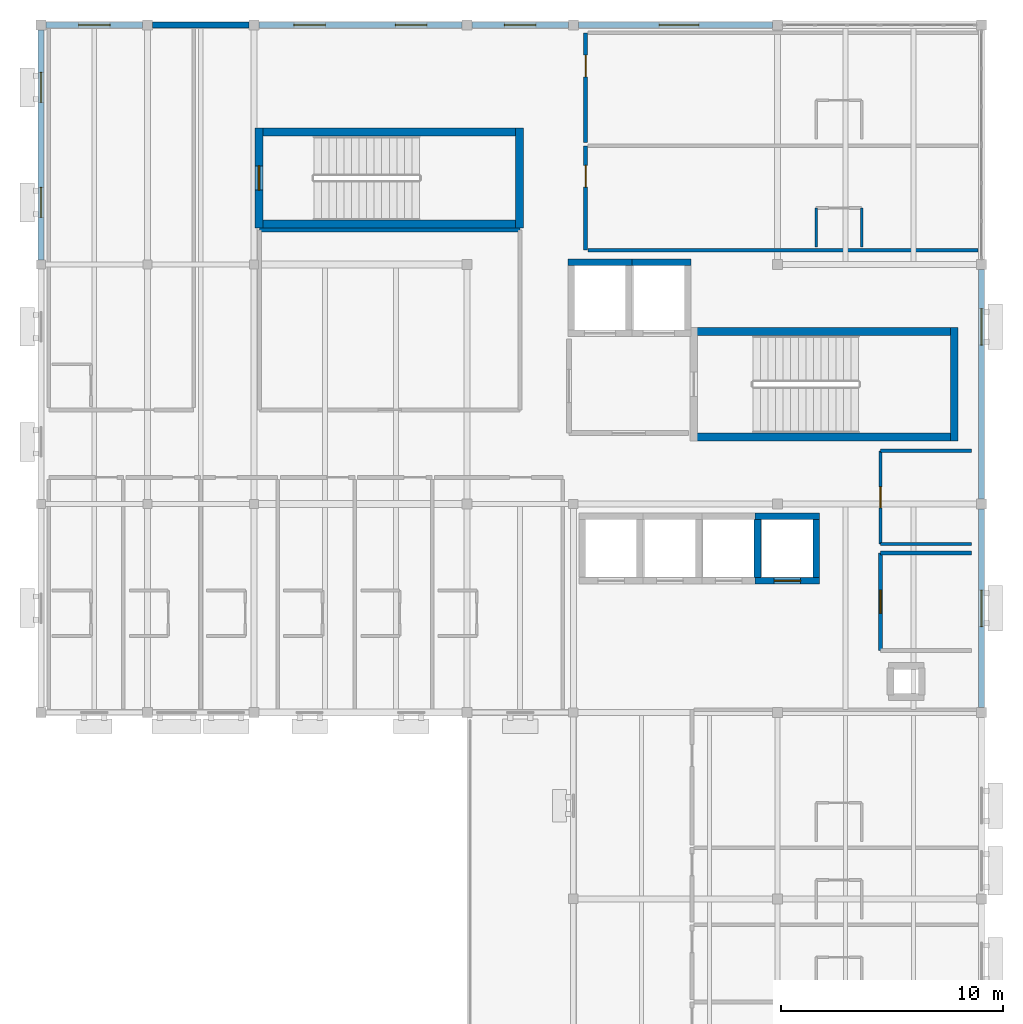
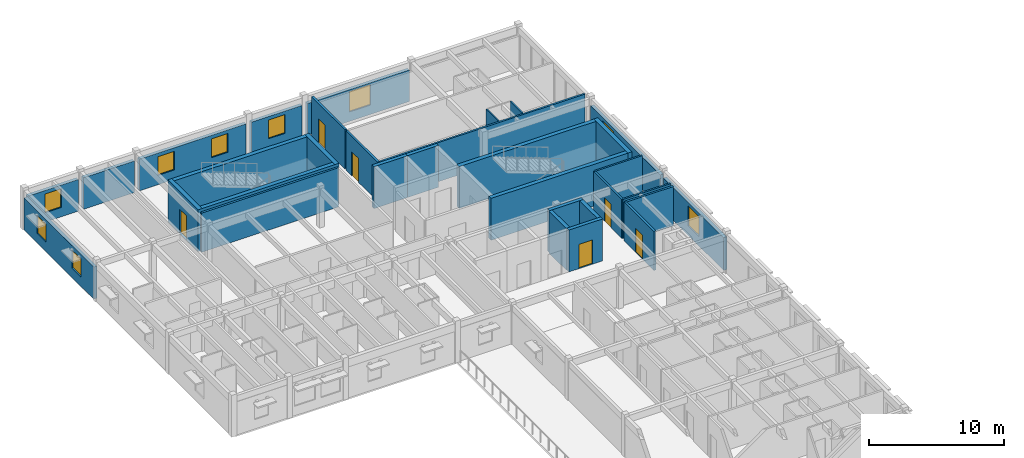
# One storey, part 10 of 18: 32 walls, 9 windows, 6 doors, 15 openings.
"""IFC4 building model written with IfcOpenShell, lengths in metres."""

from ifc_helpers import new_model, si_unit, direction, frame, frame_2d, origin, place, context, subcontext, project, spatial, rectangle, extrude, material, layer, layer_set, type_object, element, fill, save


model = new_model("IFC4")

# Units and contexts
model_context = context("Model", 3, precision=1e-05, world=origin(), true_north=direction((0.0, 1.0)))
body_context = subcontext(model_context, "Body", "Model", "MODEL_VIEW")
ifc_project = project(units=[si_unit("LENGTHUNIT", "METRE"), si_unit("AREAUNIT", "SQUARE_METRE"), si_unit("VOLUMEUNIT", "CUBIC_METRE"), si_unit("PLANEANGLEUNIT", "RADIAN"), si_unit("MASSUNIT", "GRAM", prefix="KILO")], contexts=[model_context])

# Site, building, storey
site_placement = place(None, origin())
site = spatial("IfcSite", under=ifc_project, at=site_placement, CompositionType="ELEMENT")
building_placement = place(site_placement, origin())
building = spatial("IfcBuilding", under=site, at=building_placement, Name="Veldera Park Congress Hotel", CompositionType="ELEMENT")
storey_placement = place(building_placement, frame((0.0, 0.0, 31.39990234375)))
storey = spatial("IfcBuildingStorey", under=building, at=storey_placement, Name="L07", CompositionType="ELEMENT", Elevation=31.39990234375)

# Wall, opening, window
ifc_material_1 = material(Name="Cross-laminated timber CLT V2M1.1", Category="wood")
ifc_layer_1 = layer(ifc_material_1, 0.280029296875)
ifc_layer_set_1 = layer_set([ifc_layer_1], Name="Cross-laminated timber CLT V2M1.1")
wall_type_1 = type_object("IfcWallType", Name="EW-CLT280", PredefinedType="STANDARD", material=ifc_layer_set_1)
wall_1_placement = place(storey_placement, frame((84.0, 27.222900390625, 0.0), z_axis=(0.0, 0.0, 1.0), x_axis=(0.0, 1.0, 0.0)))
wall_1 = element("IfcWall", 1, at=wall_1_placement, inside=storey, type_object=wall_type_1, Name="L07 Exterior Wall EW3-L07-0349", PredefinedType="STANDARD", context=body_context, shape_type="SweptSolid", body=[
    extrude(rectangle(XDim=8.9541015625, YDim=0.280029296875, at=frame_2d((4.47705078125, 0.0))), origin(), (0.0, 0.0, 1.0), 2.97021484375),
])
opening_1_placement = place(wall_1_placement, frame((3.652099609375, 0.0, 0.85009765625)))
opening_1 = element("IfcOpeningElement", 2, at=opening_1_placement, cuts=wall_1, Name="Opening WIN-1650", PredefinedType="OPENING", context=body_context, shape_type="SweptSolid", body=[
    extrude(rectangle(XDim=1.64990234375, YDim=1.800048828125, at=frame_2d((0.824951171875, 0.89990234375))), frame((0.0, 0.152099609375, 0.0), z_axis=(0.0, -1.0, 0.0), x_axis=(1.0, 0.0, 0.0)), (0.0, 0.0, 1.0), 0.303955078125),
])
ifc_material_2 = material(Name="Low-E Triple Insulating Glass Unit (SHGC 0.22)", Category="glass")
window_type_1 = type_object("IfcWindowType", Name="WIN-1650", PartitioningType="SINGLE_PANEL", PredefinedType="WINDOW", material=ifc_material_2)
window_1_placement = place(opening_1_placement, origin())
window_1 = element("IfcWindow", 3, at=window_1_placement, inside=storey, type_object=window_type_1, Name="L07 Window WIN-1650 262", OverallHeight=1.800048828125, OverallWidth=1.64990234375, PartitioningType="SINGLE_PANEL", PredefinedType="WINDOW", context=body_context, shape_type="SweptSolid", body=[
    extrude(rectangle(XDim=1.64990234375, YDim=1.800048828125, at=frame_2d((0.824951171875, 0.89990234375))), frame((0.0, 0.030029296875, 0.0), z_axis=(0.0, -1.0, 0.0), x_axis=(1.0, 0.0, 0.0)), (0.0, 0.0, 1.0), 0.06005859375),
])
fill(opening_1, window_1)

wall_2_placement = place(storey_placement, frame((84.0, 36.623046875, 0.0), z_axis=(0.0, 0.0, 1.0), x_axis=(0.0, 1.0, 0.0)))
wall_2 = element("IfcWall", 4, at=wall_2_placement, inside=storey, type_object=wall_type_1, Name="L07 Exterior Wall EW3-L07-0350", PredefinedType="STANDARD", context=body_context, shape_type="SweptSolid", body=[
    extrude(rectangle(XDim=10.35400390625, YDim=0.280029296875, at=frame_2d((5.177001953125, 0.0))), origin(), (0.0, 0.0, 1.0), 2.97021484375),
])
opening_2_placement = place(wall_2_placement, frame((6.9404296875, 0.0, 0.85009765625)))
opening_2 = element("IfcOpeningElement", 5, at=opening_2_placement, cuts=wall_2, Name="Opening WIN-1650", PredefinedType="OPENING", context=body_context, shape_type="SweptSolid", body=[
    extrude(rectangle(XDim=1.64990234375, YDim=1.800048828125, at=frame_2d((0.824951171875, 0.89990234375))), frame((0.0, 0.152099609375, 0.0), z_axis=(0.0, -1.0, 0.0), x_axis=(1.0, 0.0, 0.0)), (0.0, 0.0, 1.0), 0.303955078125),
])
window_2_placement = place(opening_2_placement, origin())
window_2 = element("IfcWindow", 6, at=window_2_placement, inside=storey, type_object=window_type_1, Name="L07 Window WIN-1650 263", OverallHeight=1.800048828125, OverallWidth=1.64990234375, PartitioningType="SINGLE_PANEL", PredefinedType="WINDOW", context=body_context, shape_type="SweptSolid", body=[
    extrude(rectangle(XDim=1.64990234375, YDim=1.800048828125, at=frame_2d((0.824951171875, 0.89990234375))), frame((0.0, 0.030029296875, 0.0), z_axis=(0.0, -1.0, 0.0), x_axis=(1.0, 0.0, 0.0)), (0.0, 0.0, 1.0), 0.06005859375),
])
fill(opening_2, window_2)

wall_3_placement = place(storey_placement, frame((74.576904296875, 58.0, 0.0), z_axis=(0.0, 0.0, 1.0), x_axis=(-1.0, 0.0, 0.0)))
wall_3 = element("IfcWall", 7, at=wall_3_placement, inside=storey, type_object=wall_type_1, Name="L07 Exterior Wall EW3-L07-0351", PredefinedType="STANDARD", context=body_context, shape_type="SweptSolid", body=[
    extrude(rectangle(XDim=8.75390625, YDim=0.280029296875, at=frame_2d((4.376953125, 0.0))), origin(), (0.0, 0.0, 1.0), 2.8701171875),
])
opening_3_placement = place(wall_3_placement, frame((3.3134765625, 0.0, 0.85009765625)))
opening_3 = element("IfcOpeningElement", 8, at=opening_3_placement, cuts=wall_3, Name="Opening WIN-1800", PredefinedType="OPENING", context=body_context, shape_type="SweptSolid", body=[
    extrude(rectangle(XDim=1.800048828125, YDim=1.85009765625, at=frame_2d((0.89990234375, 0.925048828125))), frame((0.0, 0.152099609375, 0.0), z_axis=(0.0, -1.0, 0.0), x_axis=(1.0, 0.0, 0.0)), (0.0, 0.0, 1.0), 0.303955078125),
])
window_type_2 = type_object("IfcWindowType", Name="WIN-1800", PartitioningType="SINGLE_PANEL", PredefinedType="WINDOW", material=ifc_material_2)
window_3_placement = place(opening_3_placement, origin())
window_3 = element("IfcWindow", 9, at=window_3_placement, inside=storey, type_object=window_type_2, Name="L07 Window WIN-1800 551", OverallHeight=1.85009765625, OverallWidth=1.800048828125, PartitioningType="SINGLE_PANEL", PredefinedType="WINDOW", context=body_context, shape_type="SweptSolid", body=[
    extrude(rectangle(XDim=1.800048828125, YDim=1.85009765625, at=frame_2d((0.89990234375, 0.925048828125))), frame((0.0, 0.030029296875, 0.0), z_axis=(0.0, -1.0, 0.0), x_axis=(1.0, 0.0, 0.0)), (0.0, 0.0, 1.0), 0.06005859375),
])
fill(opening_3, window_3)

wall_4_placement = place(storey_placement, frame((65.376953125, 58.0, 0.0), z_axis=(0.0, 0.0, 1.0), x_axis=(-1.0, 0.0, 0.0)))
wall_4 = element("IfcWall", 10, at=wall_4_placement, inside=storey, type_object=wall_type_1, Name="L07 Exterior Wall EW3-L07-0352", PredefinedType="STANDARD", context=body_context, shape_type="SweptSolid", body=[
    extrude(rectangle(XDim=4.35400390625, YDim=0.280029296875, at=frame_2d((2.177001953125, 0.0))), origin(), (0.0, 0.0, 1.0), 2.8701171875),
])
opening_4_placement = place(wall_4_placement, frame((1.467041015625, 0.0, 0.85009765625)))
opening_4 = element("IfcOpeningElement", 11, at=opening_4_placement, cuts=wall_4, Name="Opening WIN-1420", PredefinedType="OPENING", context=body_context, shape_type="SweptSolid", body=[
    extrude(rectangle(XDim=1.419921875, YDim=1.699951171875, at=frame_2d((0.7099609375, 0.85009765625))), frame((0.0, 0.152099609375, 0.0), z_axis=(0.0, -1.0, 0.0), x_axis=(1.0, 0.0, 0.0)), (0.0, 0.0, 1.0), 0.303955078125),
])
window_type_3 = type_object("IfcWindowType", Name="WIN-1420", PartitioningType="SINGLE_PANEL", PredefinedType="WINDOW", material=ifc_material_2)
window_4_placement = place(opening_4_placement, origin())
window_4 = element("IfcWindow", 12, at=window_4_placement, inside=storey, type_object=window_type_3, Name="L07 Window WIN-1420 264", OverallHeight=1.699951171875, OverallWidth=1.419921875, PartitioningType="SINGLE_PANEL", PredefinedType="WINDOW", context=body_context, shape_type="SweptSolid", body=[
    extrude(rectangle(XDim=1.419921875, YDim=1.699951171875, at=frame_2d((0.7099609375, 0.85009765625))), frame((0.0, 0.030029296875, 0.0), z_axis=(0.0, -1.0, 0.0), x_axis=(1.0, 0.0, 0.0)), (0.0, 0.0, 1.0), 0.06005859375),
])
fill(opening_4, window_4)

# Wall, openings, windows
wall_5_placement = place(storey_placement, frame((60.576904296875, 58.0, 0.0), z_axis=(0.0, 0.0, 1.0), x_axis=(-1.0, 0.0, 0.0)))
wall_5 = element("IfcWall", 13, at=wall_5_placement, inside=storey, type_object=wall_type_1, Name="L07 Exterior Wall EW3-L07-0353", PredefinedType="STANDARD", context=body_context, shape_type="SweptSolid", body=[
    extrude(rectangle(XDim=9.15380859375, YDim=0.280029296875, at=frame_2d((4.576904296875, 0.0))), origin(), (0.0, 0.0, 1.0), 2.8701171875),
])
opening_5_placement = place(wall_5_placement, frame((1.57861328125, 0.0, 0.85009765625)))
opening_5 = element("IfcOpeningElement", 14, at=opening_5_placement, cuts=wall_5, Name="Opening WIN-1420", PredefinedType="OPENING", context=body_context, shape_type="SweptSolid", body=[
    extrude(rectangle(XDim=1.419921875, YDim=1.699951171875, at=frame_2d((0.7099609375, 0.85009765625))), frame((0.0, 0.152099609375, 0.0), z_axis=(0.0, -1.0, 0.0), x_axis=(1.0, 0.0, 0.0)), (0.0, 0.0, 1.0), 0.303955078125),
])
opening_6_placement = place(wall_5_placement, frame((6.155517578125, 0.0, 0.85009765625)))
opening_6 = element("IfcOpeningElement", 15, at=opening_6_placement, cuts=wall_5, Name="Opening WIN-1420", PredefinedType="OPENING", context=body_context, shape_type="SweptSolid", body=[
    extrude(rectangle(XDim=1.419921875, YDim=1.699951171875, at=frame_2d((0.7099609375, 0.85009765625))), frame((0.0, 0.152099609375, 0.0), z_axis=(0.0, -1.0, 0.0), x_axis=(1.0, 0.0, 0.0)), (0.0, 0.0, 1.0), 0.303955078125),
])
window_5_placement = place(opening_5_placement, origin())
window_5 = element("IfcWindow", 16, at=window_5_placement, inside=storey, type_object=window_type_3, Name="L07 Window WIN-1420 265", OverallHeight=1.699951171875, OverallWidth=1.419921875, PartitioningType="SINGLE_PANEL", PredefinedType="WINDOW", context=body_context, shape_type="SweptSolid", body=[
    extrude(rectangle(XDim=1.419921875, YDim=1.699951171875, at=frame_2d((0.7099609375, 0.85009765625))), frame((0.0, 0.030029296875, 0.0), z_axis=(0.0, -1.0, 0.0), x_axis=(1.0, 0.0, 0.0)), (0.0, 0.0, 1.0), 0.06005859375),
])
fill(opening_5, window_5)
window_6_placement = place(opening_6_placement, origin())
window_6 = element("IfcWindow", 17, at=window_6_placement, inside=storey, type_object=window_type_3, Name="L07 Window WIN-1420 266", OverallHeight=1.699951171875, OverallWidth=1.419921875, PartitioningType="SINGLE_PANEL", PredefinedType="WINDOW", context=body_context, shape_type="SweptSolid", body=[
    extrude(rectangle(XDim=1.419921875, YDim=1.699951171875, at=frame_2d((0.7099609375, 0.85009765625))), frame((0.0, 0.030029296875, 0.0), z_axis=(0.0, -1.0, 0.0), x_axis=(1.0, 0.0, 0.0)), (0.0, 0.0, 1.0), 0.06005859375),
])
fill(opening_6, window_6)

# Wall
wall_6_placement = place(storey_placement, frame((50.97705078125, 58.0, 0.0), z_axis=(0.0, 0.0, 1.0), x_axis=(-1.0, 0.0, 0.0)))
element("IfcWall", 18, at=wall_6_placement, inside=storey, type_object=wall_type_1, Name="L07 Exterior Wall EW3-L07-0354", PredefinedType="STANDARD", context=body_context, shape_type="SweptSolid", body=[
    extrude(rectangle(XDim=4.35400390625, YDim=0.280029296875, at=frame_2d((2.177001953125, 0.0))), origin(), (0.0, 0.0, 1.0), 2.8701171875),
])

# Wall, opening, window
wall_7_placement = place(storey_placement, frame((46.177001953125, 58.0, 0.0), z_axis=(0.0, 0.0, 1.0), x_axis=(-1.0, 0.0, 0.0)))
wall_7 = element("IfcWall", 19, at=wall_7_placement, inside=storey, type_object=wall_type_1, Name="L07 Exterior Wall EW3-L07-0355", PredefinedType="STANDARD", context=body_context, shape_type="SweptSolid", body=[
    extrude(rectangle(XDim=4.35400390625, YDim=0.280029296875, at=frame_2d((2.177001953125, 0.0))), origin(), (0.0, 0.0, 1.0), 2.8701171875),
])
opening_7_placement = place(wall_7_placement, frame((1.467041015625, 0.0, 0.85009765625)))
opening_7 = element("IfcOpeningElement", 20, at=opening_7_placement, cuts=wall_7, Name="Opening WIN-1420", PredefinedType="OPENING", context=body_context, shape_type="SweptSolid", body=[
    extrude(rectangle(XDim=1.419921875, YDim=1.699951171875, at=frame_2d((0.7099609375, 0.85009765625))), frame((0.0, 0.152099609375, 0.0), z_axis=(0.0, -1.0, 0.0), x_axis=(1.0, 0.0, 0.0)), (0.0, 0.0, 1.0), 0.303955078125),
])
window_7_placement = place(opening_7_placement, origin())
window_7 = element("IfcWindow", 21, at=window_7_placement, inside=storey, type_object=window_type_3, Name="L07 Window WIN-1420 267", OverallHeight=1.699951171875, OverallWidth=1.419921875, PartitioningType="SINGLE_PANEL", PredefinedType="WINDOW", context=body_context, shape_type="SweptSolid", body=[
    extrude(rectangle(XDim=1.419921875, YDim=1.699951171875, at=frame_2d((0.7099609375, 0.85009765625))), frame((0.0, 0.030029296875, 0.0), z_axis=(0.0, -1.0, 0.0), x_axis=(1.0, 0.0, 0.0)), (0.0, 0.0, 1.0), 0.06005859375),
])
fill(opening_7, window_7)

# Wall, openings, windows
wall_8_placement = place(storey_placement, frame((41.60009765625, 57.777099609375, 0.0), z_axis=(0.0, 0.0, 1.0), x_axis=(0.0, -1.0, 0.0)))
wall_8 = element("IfcWall", 22, at=wall_8_placement, inside=storey, type_object=wall_type_1, Name="L07 Exterior Wall EW3-L07-0356", PredefinedType="STANDARD", context=body_context, shape_type="SweptSolid", body=[
    extrude(rectangle(XDim=10.369140625, YDim=0.280029296875, at=frame_2d((5.1845703125, 0.0))), origin(), (0.0, 0.0, 1.0), 2.91015625),
])
opening_8_placement = place(wall_8_placement, frame((1.917236328125, 0.0, 0.85009765625)))
opening_8 = element("IfcOpeningElement", 23, at=opening_8_placement, cuts=wall_8, Name="Opening WIN-1350", PredefinedType="OPENING", context=body_context, shape_type="SweptSolid", body=[
    extrude(rectangle(XDim=1.35009765625, YDim=1.64990234375, at=frame_2d((0.675048828125, 0.824951171875))), frame((0.0, 0.152099609375, 0.0), z_axis=(0.0, -1.0, 0.0), x_axis=(1.0, 0.0, 0.0)), (0.0, 0.0, 1.0), 0.303955078125),
])
opening_9_placement = place(wall_8_placement, frame((7.101806640625, 0.0, 0.85009765625)))
opening_9 = element("IfcOpeningElement", 24, at=opening_9_placement, cuts=wall_8, Name="Opening WIN-1350", PredefinedType="OPENING", context=body_context, shape_type="SweptSolid", body=[
    extrude(rectangle(XDim=1.35009765625, YDim=1.64990234375, at=frame_2d((0.675048828125, 0.824951171875))), frame((0.0, 0.152099609375, 0.0), z_axis=(0.0, -1.0, 0.0), x_axis=(1.0, 0.0, 0.0)), (0.0, 0.0, 1.0), 0.303955078125),
])
window_type_4 = type_object("IfcWindowType", Name="WIN-1350", PartitioningType="SINGLE_PANEL", PredefinedType="WINDOW", material=ifc_material_2)
window_8_placement = place(opening_8_placement, origin())
window_8 = element("IfcWindow", 25, at=window_8_placement, inside=storey, type_object=window_type_4, Name="L07 Window WIN-1350 268", OverallHeight=1.64990234375, OverallWidth=1.35009765625, PartitioningType="SINGLE_PANEL", PredefinedType="WINDOW", context=body_context, shape_type="SweptSolid", body=[
    extrude(rectangle(XDim=1.35009765625, YDim=1.64990234375, at=frame_2d((0.675048828125, 0.824951171875))), frame((0.0, 0.030029296875, 0.0), z_axis=(0.0, -1.0, 0.0), x_axis=(1.0, 0.0, 0.0)), (0.0, 0.0, 1.0), 0.06005859375),
])
fill(opening_8, window_8)
window_9_placement = place(opening_9_placement, origin())
window_9 = element("IfcWindow", 26, at=window_9_placement, inside=storey, type_object=window_type_4, Name="L07 Window WIN-1350 269", OverallHeight=1.64990234375, OverallWidth=1.35009765625, PartitioningType="SINGLE_PANEL", PredefinedType="WINDOW", context=body_context, shape_type="SweptSolid", body=[
    extrude(rectangle(XDim=1.35009765625, YDim=1.64990234375, at=frame_2d((0.675048828125, 0.824951171875))), frame((0.0, 0.030029296875, 0.0), z_axis=(0.0, -1.0, 0.0), x_axis=(1.0, 0.0, 0.0)), (0.0, 0.0, 1.0), 0.06005859375),
])
fill(opening_9, window_9)

# Walls
ifc_material_3 = material(Name="Fire-Rated Gypsum Board on Cold-Formed Steel Studs", Category="steel")
ifc_layer_2 = layer(ifc_material_3, 0.1201171875)
ifc_layer_set_2 = layer_set([ifc_layer_2], Name="Fire-Rated Gypsum Board on Cold-Formed Steel Studs")
wall_type_2 = type_object("IfcWallType", Name="IW-BATH120", PredefinedType="PARTITIONING", material=ifc_layer_set_2)
for number, where, z_axis, x_axis, name in (
    (27, (76.550048828125, 48.0, 0.0), (0.0, 0.0, 1.0), (0.0, 1.0, 0.0), "L07 Partition Wall IW3-L07-01465"),
    (28, (78.60009765625, 48.0, 0.0), (0.0, 0.0, 1.0), (0.0, 1.0, 0.0), "L07 Partition Wall IW3-L07-01466"),
):
    element("IfcWall", number, at=place(storey_placement, frame(where, z_axis=z_axis, x_axis=x_axis)), inside=storey, type_object=wall_type_2, Name=name, PredefinedType="PARTITIONING", context=body_context, shape_type="SweptSolid", body=[
        extrude(rectangle(XDim=1.75, YDim=0.1201171875, at=frame_2d((0.875, 0.0))), origin(), (0.0, 0.0, 1.0), 3.55517578125),
    ])
ifc_layer_3 = layer(ifc_material_3, 0.179931640625)
ifc_layer_set_3 = layer_set([ifc_layer_3], Name="Fire-Rated Gypsum Board on Cold-Formed Steel Studs")
wall_type_3 = type_object("IfcWallType", Name="IW-CORR180", PredefinedType="PARTITIONING", material=ifc_layer_set_3)
wall_9_placement = place(storey_placement, frame((83.550048828125, 34.199951171875, 0.0), z_axis=(0.0, 0.0, 1.0), x_axis=(-1.0, 0.0, 0.0)))
element("IfcWall", 29, at=wall_9_placement, inside=storey, type_object=wall_type_3, Name="L07 Partition Wall IW3-L07-00291", PredefinedType="PARTITIONING", context=body_context, shape_type="SweptSolid", body=[
    extrude(rectangle(XDim=4.10009765625, YDim=0.179931640625, at=frame_2d((2.050048828125, 0.0))), origin(), (0.0, 0.0, 1.0), 3.55517578125),
])

# Wall, opening, door
wall_10_placement = place(storey_placement, frame((79.449951171875, 34.199951171875, 0.0), z_axis=(0.0, 0.0, 1.0), x_axis=(0.0, -1.0, 0.0)))
wall_10 = element("IfcWall", 30, at=wall_10_placement, inside=storey, type_object=wall_type_3, Name="L07 Partition Wall IW3-L07-00292", PredefinedType="PARTITIONING", context=body_context, shape_type="SweptSolid", body=[
    extrude(rectangle(XDim=4.39990234375, YDim=0.179931640625, at=frame_2d((2.199951171875, 0.0))), origin(), (0.0, 0.0, 1.0), 3.55517578125),
])
opening_10_placement = place(wall_10_placement, frame((1.675048828125, 0.0, 0.0)))
opening_10 = element("IfcOpeningElement", 31, at=opening_10_placement, cuts=wall_10, Name="Opening ID-MEET105", PredefinedType="OPENING", context=body_context, shape_type="SweptSolid", body=[
    extrude(rectangle(XDim=1.050048828125, YDim=2.199951171875, at=frame_2d((0.52490234375, 1.10009765625))), frame((0.0, 0.10205078125, 0.0), z_axis=(0.0, -1.0, 0.0), x_axis=(1.0, 0.0, 0.0)), (0.0, 0.0, 1.0), 0.203857421875),
])
ifc_material_4 = material(Name="Solid Core White Oak Architectural Door", Category="wood")
door_type_1 = type_object("IfcDoorType", Name="ID-MEET105", OperationType="NOTDEFINED", PredefinedType="DOOR", material=ifc_material_4)
door_1_placement = place(opening_10_placement, origin())
door_1 = element("IfcDoor", 32, at=door_1_placement, inside=storey, type_object=door_type_1, Name="L07 L07 Housekeeping and Linen Store Door ID3-L07-0108 (DR3-ID3-L07-0108)", OperationType="SINGLE_SWING_LEFT", OverallHeight=2.199951171875, OverallWidth=1.050048828125, PredefinedType="DOOR", context=body_context, shape_type="SweptSolid", body=[
    extrude(rectangle(XDim=1.050048828125, YDim=2.199951171875, at=frame_2d((0.52490234375, 1.10009765625))), frame((0.0, 0.02490234375, 0.0), z_axis=(0.0, -1.0, 0.0), x_axis=(1.0, 0.0, 0.0)), (0.0, 0.0, 1.0), 0.050048828125),
])
fill(opening_10, door_1)

# Wall
wall_11_placement = place(storey_placement, frame((63.199951171875, 48.75, 0.0), z_axis=(0.0, 0.0, 1.0), x_axis=(-1.0, 0.0, 0.0)))
element("IfcWall", 33, at=wall_11_placement, inside=storey, type_object=wall_type_3, Name="L07 Partition Wall IW3-L07-00298", PredefinedType="PARTITIONING", context=body_context, shape_type="SweptSolid", body=[
    extrude(rectangle(XDim=11.75, YDim=0.179931640625, at=frame_2d((5.875, 0.0))), origin(), (0.0, 0.0, 1.0), 3.55517578125),
])

# Wall, opening, door
wall_12_placement = place(storey_placement, frame((66.14990234375, 52.550048828125, 0.0), z_axis=(0.0, 0.0, 1.0), x_axis=(0.0, -1.0, 0.0)))
wall_12 = element("IfcWall", 34, at=wall_12_placement, inside=storey, type_object=wall_type_3, Name="L07 Corridor Wall IW3-L07-01462", PredefinedType="PARTITIONING", context=body_context, shape_type="SweptSolid", body=[
    extrude(rectangle(XDim=4.699951171875, YDim=0.179931640625, at=frame_2d((2.35009765625, 0.0))), origin(), (0.0, 0.0, 1.0), 3.55517578125),
])
opening_11_placement = place(wall_12_placement, frame((0.8798828125, 0.0, 0.0)))
opening_11 = element("IfcOpeningElement", 35, at=opening_11_placement, cuts=wall_12, Name="Opening ID-UNIT098", PredefinedType="OPENING", context=body_context, shape_type="SweptSolid", body=[
    extrude(rectangle(XDim=0.97998046875, YDim=2.179931640625, at=frame_2d((0.489990234375, 1.08984375))), frame((0.0, 0.10205078125, 0.0), z_axis=(0.0, -1.0, 0.0), x_axis=(1.0, 0.0, 0.0)), (0.0, 0.0, 1.0), 0.203857421875),
])
door_type_2 = type_object("IfcDoorType", Name="ID-UNIT098", OperationType="NOTDEFINED", PredefinedType="DOOR", material=ifc_material_4)
door_2_placement = place(opening_11_placement, origin())
door_2 = element("IfcDoor", 36, at=door_2_placement, inside=storey, type_object=door_type_2, Name="L07 Guestroom 234 Entry Door (DR3-UD3-L07-234)", OperationType="SINGLE_SWING_RIGHT", OverallHeight=2.179931640625, OverallWidth=0.97998046875, PredefinedType="DOOR", context=body_context, shape_type="SweptSolid", body=[
    extrude(rectangle(XDim=0.97998046875, YDim=2.179931640625, at=frame_2d((0.489990234375, 1.08984375))), frame((0.0, 0.02490234375, 0.0), z_axis=(0.0, -1.0, 0.0), x_axis=(1.0, 0.0, 0.0)), (0.0, 0.0, 1.0), 0.050048828125),
])
fill(opening_11, door_2)

wall_13_placement = place(storey_placement, frame((66.14990234375, 57.64990234375, 0.0), z_axis=(0.0, 0.0, 1.0), x_axis=(0.0, -1.0, 0.0)))
wall_13 = element("IfcWall", 37, at=wall_13_placement, inside=storey, type_object=wall_type_3, Name="L07 Corridor Wall IW3-L07-01468", PredefinedType="PARTITIONING", context=body_context, shape_type="SweptSolid", body=[
    extrude(rectangle(XDim=4.949951171875, YDim=0.179931640625, at=frame_2d((2.47509765625, 0.0))), origin(), (0.0, 0.0, 1.0), 3.55517578125),
])
opening_12_placement = place(wall_13_placement, frame((1.0048828125, 0.0, 0.0)))
opening_12 = element("IfcOpeningElement", 38, at=opening_12_placement, cuts=wall_13, Name="Opening ID-UNIT098", PredefinedType="OPENING", context=body_context, shape_type="SweptSolid", body=[
    extrude(rectangle(XDim=0.97998046875, YDim=2.179931640625, at=frame_2d((0.489990234375, 1.08984375))), frame((0.0, 0.10205078125, 0.0), z_axis=(0.0, -1.0, 0.0), x_axis=(1.0, 0.0, 0.0)), (0.0, 0.0, 1.0), 0.203857421875),
])
door_3_placement = place(opening_12_placement, origin())
door_3 = element("IfcDoor", 39, at=door_3_placement, inside=storey, type_object=door_type_2, Name="L07 Guestroom 235 Entry Door (DR3-UD3-L07-235)", OperationType="SINGLE_SWING_RIGHT", OverallHeight=2.179931640625, OverallWidth=0.97998046875, PredefinedType="DOOR", context=body_context, shape_type="SweptSolid", body=[
    extrude(rectangle(XDim=0.97998046875, YDim=2.179931640625, at=frame_2d((0.489990234375, 1.08984375))), frame((0.0, 0.02490234375, 0.0), z_axis=(0.0, -1.0, 0.0), x_axis=(1.0, 0.0, 0.0)), (0.0, 0.0, 1.0), 0.050048828125),
])
fill(opening_12, door_3)

# Walls
ifc_layer_4 = layer(ifc_material_3, 0.14990234375)
ifc_layer_set_4 = layer_set([ifc_layer_4], Name="Fire-Rated Gypsum Board on Cold-Formed Steel Studs")
wall_type_4 = type_object("IfcWallType", Name="IW-PLMB150", PredefinedType="PLUMBINGWALL", material=ifc_layer_set_4)
for number, where, z_axis, x_axis, name in (
    (40, (79.449951171875, 34.60009765625, 0.0), (0.0, 0.0, 1.0), (1.0, 0.0, 0.0), "L07 Partition Wall IW3-L07-00293"),
    (41, (83.550048828125, 38.800048828125, 0.0), (0.0, 0.0, 1.0), (-1.0, 0.0, 0.0), "L07 Partition Wall IW3-L07-00294"),
):
    element("IfcWall", number, at=place(storey_placement, frame(where, z_axis=z_axis, x_axis=x_axis)), inside=storey, type_object=wall_type_4, Name=name, PredefinedType="PLUMBINGWALL", context=body_context, shape_type="SweptSolid", body=[
        extrude(rectangle(XDim=4.10009765625, YDim=0.14990234375, at=frame_2d((2.050048828125, 0.0))), origin(), (0.0, 0.0, 1.0), 3.55517578125),
    ])

# Wall, opening, door
wall_14_placement = place(storey_placement, frame((79.449951171875, 38.800048828125, 0.0), z_axis=(0.0, 0.0, 1.0), x_axis=(0.0, -1.0, 0.0)))
wall_14 = element("IfcWall", 42, at=wall_14_placement, inside=storey, type_object=wall_type_4, Name="L07 Partition Wall IW3-L07-00295", PredefinedType="PLUMBINGWALL", context=body_context, shape_type="SweptSolid", body=[
    extrude(rectangle(XDim=4.199951171875, YDim=0.14990234375, at=frame_2d((2.10009765625, 0.0))), origin(), (0.0, 0.0, 1.0), 3.55517578125),
])
opening_13_placement = place(wall_14_placement, frame((1.625, 0.0, 0.0)))
opening_13 = element("IfcOpeningElement", 43, at=opening_13_placement, cuts=wall_14, Name="Opening ID-WC095", PredefinedType="OPENING", context=body_context, shape_type="SweptSolid", body=[
    extrude(rectangle(XDim=0.949951171875, YDim=2.14990234375, at=frame_2d((0.47509765625, 1.074951171875))), frame((0.0, 0.0869140625, 0.0), z_axis=(0.0, -1.0, 0.0), x_axis=(1.0, 0.0, 0.0)), (0.0, 0.0, 1.0), 0.173828125),
])
door_type_3 = type_object("IfcDoorType", Name="ID-WC095", OperationType="NOTDEFINED", PredefinedType="DOOR", material=ifc_material_4)
door_4_placement = place(opening_13_placement, origin())
door_4 = element("IfcDoor", 44, at=door_4_placement, inside=storey, type_object=door_type_3, Name="L07 L07 Public Accessible WC Door ID3-L07-0109 (DR3-ID3-L07-0109)", OperationType="SINGLE_SWING_RIGHT", OverallHeight=2.14990234375, OverallWidth=0.949951171875, PredefinedType="DOOR", context=body_context, shape_type="SweptSolid", body=[
    extrude(rectangle(XDim=0.949951171875, YDim=2.14990234375, at=frame_2d((0.47509765625, 1.074951171875))), frame((0.0, 0.02490234375, 0.0), z_axis=(0.0, -1.0, 0.0), x_axis=(1.0, 0.0, 0.0)), (0.0, 0.0, 1.0), 0.050048828125),
])
fill(opening_13, door_4)

# Walls
ifc_layer_5 = layer(ifc_material_1, 0.159912109375)
ifc_layer_set_5 = layer_set([ifc_layer_5], Name="Cross-laminated timber CLT V2M1.1")
wall_type_5 = type_object("IfcWallType", Name="IW-UNIT160", PredefinedType="PARTITIONING", material=ifc_layer_set_5)
wall_15_placement = place(storey_placement, frame((66.25, 47.85009765625, 0.0), z_axis=(0.0, 0.0, 1.0), x_axis=(1.0, 0.0, 0.0)))
element("IfcWall", 45, at=wall_15_placement, inside=storey, type_object=wall_type_5, Name="L07 Partition Wall IW3-L07-01463", PredefinedType="PARTITIONING", context=body_context, shape_type="SweptSolid", body=[
    extrude(rectangle(XDim=17.590087890625, YDim=0.159912109375, at=frame_2d((8.794921875, 0.0))), origin(), (0.0, 0.0, 1.0), 3.55517578125),
])
ifc_material_5 = material(Name="Concrete f'c 40 MPa (5,800 psi)", Category="concrete")
ifc_layer_6 = layer(ifc_material_5, 0.35009765625)
ifc_layer_set_6 = layer_set([ifc_layer_6], Name="Concrete f'c 40 MPa (5,800 psi)")
wall_type_6 = type_object("IfcWallType", Name="SW-CORE350", PredefinedType="SHEAR", material=ifc_layer_set_6)
wall_16_placement = place(storey_placement, frame((70.85009765625, 39.425048828125, 0.0), z_axis=(0.0, 0.0, 1.0), x_axis=(1.0, 0.0, 0.0)))
element("IfcWall", 46, at=wall_16_placement, inside=storey, type_object=wall_type_6, Name="Stair ST1 Core Wall L07-S", PredefinedType="SHEAR", context=body_context, shape_type="SweptSolid", body=[
    extrude(rectangle(XDim=12.099853515625, YDim=0.35009765625, at=frame_2d((6.0498046875, 0.0))), origin(), (0.0, 0.0, 1.0), 3.800048828125),
])
wall_17_placement = place(storey_placement, frame((82.77490234375, 39.25, 0.0), z_axis=(0.0, 0.0, 1.0), x_axis=(0.0, 1.0, 0.0)))
element("IfcWall", 47, at=wall_17_placement, inside=storey, type_object=wall_type_6, Name="Stair ST1 Core Wall L07-E", PredefinedType="SHEAR", context=body_context, shape_type="SweptSolid", body=[
    extrude(rectangle(XDim=5.10009765625, YDim=0.35009765625, at=frame_2d((2.550048828125, 0.0))), origin(), (0.0, 0.0, 1.0), 3.800048828125),
])
wall_18_placement = place(storey_placement, frame((82.949951171875, 44.175048828125, 0.0), z_axis=(0.0, 0.0, 1.0), x_axis=(-1.0, 0.0, 0.0)))
element("IfcWall", 48, at=wall_18_placement, inside=storey, type_object=wall_type_6, Name="Stair ST1 Core Wall L07-N", PredefinedType="SHEAR", context=body_context, shape_type="SweptSolid", body=[
    extrude(rectangle(XDim=12.099853515625, YDim=0.35009765625, at=frame_2d((6.0498046875, 0.0))), origin(), (0.0, 0.0, 1.0), 3.800048828125),
])
wall_19_placement = place(storey_placement, frame((51.25, 49.02490234375, 0.0), z_axis=(0.0, 0.0, 1.0), x_axis=(1.0, 0.0, 0.0)))
element("IfcWall", 49, at=wall_19_placement, inside=storey, type_object=wall_type_6, Name="Stair ST3 Core Wall L07-S", PredefinedType="SHEAR", context=body_context, shape_type="SweptSolid", body=[
    extrude(rectangle(XDim=12.10009765625, YDim=0.35009765625, at=frame_2d((6.050048828125, 0.0))), origin(), (0.0, 0.0, 1.0), 3.800048828125),
])
wall_20_placement = place(storey_placement, frame((63.175048828125, 48.85009765625, 0.0), z_axis=(0.0, 0.0, 1.0), x_axis=(0.0, 1.0, 0.0)))
element("IfcWall", 50, at=wall_20_placement, inside=storey, type_object=wall_type_6, Name="Stair ST3 Core Wall L07-E", PredefinedType="SHEAR", context=body_context, shape_type="SweptSolid", body=[
    extrude(rectangle(XDim=4.5, YDim=0.35009765625, at=frame_2d((2.25, 0.0))), origin(), (0.0, 0.0, 1.0), 3.800048828125),
])
wall_21_placement = place(storey_placement, frame((63.35009765625, 53.175048828125, 0.0), z_axis=(0.0, 0.0, 1.0), x_axis=(-1.0, 0.0, 0.0)))
element("IfcWall", 51, at=wall_21_placement, inside=storey, type_object=wall_type_6, Name="Stair ST3 Core Wall L07-N", PredefinedType="SHEAR", context=body_context, shape_type="SweptSolid", body=[
    extrude(rectangle(XDim=12.10009765625, YDim=0.35009765625, at=frame_2d((6.050048828125, 0.0))), origin(), (0.0, 0.0, 1.0), 3.800048828125),
])

# Wall, opening, door
wall_22_placement = place(storey_placement, frame((51.425048828125, 53.35009765625, 0.0), z_axis=(0.0, 0.0, 1.0), x_axis=(0.0, -1.0, 0.0)))
wall_22 = element("IfcWall", 52, at=wall_22_placement, inside=storey, type_object=wall_type_6, Name="Stair ST3 Core Wall L07-W", PredefinedType="SHEAR", context=body_context, shape_type="SweptSolid", body=[
    extrude(rectangle(XDim=4.5, YDim=0.35009765625, at=frame_2d((2.25, 0.0))), origin(), (0.0, 0.0, 1.0), 3.800048828125),
])
opening_14_placement = place(wall_22_placement, frame((1.699951171875, 0.0, 0.0)))
opening_14 = element("IfcOpeningElement", 53, at=opening_14_placement, cuts=wall_22, Name="Opening ID-STAIR110", PredefinedType="OPENING", context=body_context, shape_type="SweptSolid", body=[
    extrude(rectangle(XDim=1.10009765625, YDim=2.199951171875, at=frame_2d((0.550048828125, 1.10009765625))), frame((0.0, 0.18701171875, 0.0), z_axis=(0.0, -1.0, 0.0), x_axis=(1.0, 0.0, 0.0)), (0.0, 0.0, 1.0), 0.3740234375),
])
ifc_material_6 = material(Name="Hollow Metal Fire-Rated Steel Door", Category="steel")
door_type_4 = type_object("IfcDoorType", Name="ID-STAIR110", OperationType="NOTDEFINED", PredefinedType="DOOR", material=ifc_material_6)
door_5_placement = place(opening_14_placement, origin())
door_5 = element("IfcDoor", 54, at=door_5_placement, inside=storey, type_object=door_type_4, Name="L07 Stair ST3 Fire Door (DR3-SD-ST3-L07)", OperationType="SINGLE_SWING_LEFT", OverallHeight=2.199951171875, OverallWidth=1.10009765625, PredefinedType="DOOR", context=body_context, shape_type="SweptSolid", body=[
    extrude(rectangle(XDim=1.10009765625, YDim=2.199951171875, at=frame_2d((0.550048828125, 1.10009765625))), frame((0.0, 0.02490234375, 0.0), z_axis=(0.0, -1.0, 0.0), x_axis=(1.0, 0.0, 0.0)), (0.0, 0.0, 1.0), 0.050048828125),
])
fill(opening_14, door_5)

# Walls
ifc_layer_7 = layer(ifc_material_5, 0.300048828125)
ifc_layer_set_7 = layer_set([ifc_layer_7], Name="Concrete f'c 40 MPa (5,800 psi)")
wall_type_7 = type_object("IfcWallType", Name="SW-SHFT300", PredefinedType="SHEAR", material=ifc_layer_set_7)
for number, where, z_axis, x_axis, name in (
    (55, (68.25, 47.300048828125, 0.0), (0.0, 0.0, 1.0), (-1.0, 0.0, 0.0), "Lift FL-01 Shaft Wall L07-N"),
    (56, (70.89990234375, 47.300048828125, 0.0), (0.0, 0.0, 1.0), (-1.0, 0.0, 0.0), "Lift FL-02 Shaft Wall L07-N"),
):
    element("IfcWall", number, at=place(storey_placement, frame(where, z_axis=z_axis, x_axis=x_axis)), inside=storey, type_object=wall_type_7, Name=name, PredefinedType="SHEAR", context=body_context, shape_type="SweptSolid", body=[
        extrude(rectangle(XDim=2.89990234375, YDim=0.300048828125, at=frame_2d((1.449951171875, 0.0))), origin(), (0.0, 0.0, 1.0), 3.800048828125),
    ])
wall_23_placement = place(storey_placement, frame((73.89990234375, 33.10009765625, 0.0), z_axis=(0.0, 0.0, 1.0), x_axis=(0.0, 1.0, 0.0)))
element("IfcWall", 57, at=wall_23_placement, inside=storey, type_object=wall_type_7, Name="Lift PL-03 Shaft Wall L07-E", PredefinedType="SHEAR", context=body_context, shape_type="SweptSolid", body=[
    extrude(rectangle(XDim=2.599853515625, YDim=0.300048828125, at=frame_2d((1.2998046875, 0.0))), origin(), (0.0, 0.0, 1.0), 3.800048828125),
])

# Wall, opening, door
wall_24_placement = place(storey_placement, frame((73.800048828125, 32.949951171875, 0.0), z_axis=(0.0, 0.0, 1.0), x_axis=(1.0, 0.0, 0.0)))
wall_24 = element("IfcWall", 58, at=wall_24_placement, inside=storey, type_object=wall_type_7, Name="Lift PL-04 Shaft Wall L07-S", PredefinedType="SHEAR", context=body_context, shape_type="SweptSolid", body=[
    extrude(rectangle(XDim=2.89990234375, YDim=0.300048828125, at=frame_2d((1.449951171875, 0.0))), origin(), (0.0, 0.0, 1.0), 3.800048828125),
])
opening_15_placement = place(wall_24_placement, frame((0.85009765625, 0.0, 0.0)))
opening_15 = element("IfcOpeningElement", 59, at=opening_15_placement, cuts=wall_24, Name="Opening LD-120", PredefinedType="OPENING", context=body_context, shape_type="SweptSolid", body=[
    extrude(rectangle(XDim=1.199951171875, YDim=2.199951171875, at=frame_2d((0.60009765625, 1.10009765625))), frame((0.0, 0.162109375, 0.0), z_axis=(0.0, -1.0, 0.0), x_axis=(1.0, 0.0, 0.0)), (0.0, 0.0, 1.0), 0.323974609375),
])
door_type_5 = type_object("IfcDoorType", Name="LD-120", OperationType="DOUBLE_DOOR_SLIDING", PredefinedType="DOOR", material=ifc_material_6)
door_6_placement = place(opening_15_placement, origin())
door_6 = element("IfcDoor", 60, at=door_6_placement, inside=storey, type_object=door_type_5, Name="L07 Lift PL-04 Landing Door (DR3-LD-PL-04-L07)", OperationType="DOUBLE_DOOR_SLIDING", OverallHeight=2.199951171875, OverallWidth=1.199951171875, PredefinedType="DOOR", context=body_context, shape_type="SweptSolid", body=[
    extrude(rectangle(XDim=1.199951171875, YDim=2.199951171875, at=frame_2d((0.60009765625, 1.10009765625))), frame((0.0, 0.02490234375, 0.0), z_axis=(0.0, -1.0, 0.0), x_axis=(1.0, 0.0, 0.0)), (0.0, 0.0, 1.0), 0.050048828125),
])
fill(opening_15, door_6)

# Walls
wall_25_placement = place(storey_placement, frame((76.699951171875, 35.85009765625, 0.0), z_axis=(0.0, 0.0, 1.0), x_axis=(-1.0, 0.0, 0.0)))
element("IfcWall", 61, at=wall_25_placement, inside=storey, type_object=wall_type_7, Name="Lift PL-04 Shaft Wall L07-N", PredefinedType="SHEAR", context=body_context, shape_type="SweptSolid", body=[
    extrude(rectangle(XDim=2.89990234375, YDim=0.300048828125, at=frame_2d((1.449951171875, 0.0))), origin(), (0.0, 0.0, 1.0), 3.800048828125),
])
wall_26_placement = place(storey_placement, frame((76.550048828125, 33.10009765625, 0.0), z_axis=(0.0, 0.0, 1.0), x_axis=(0.0, 1.0, 0.0)))
element("IfcWall", 62, at=wall_26_placement, inside=storey, type_object=wall_type_7, Name="Lift PL-04 Shaft Wall L07-E", PredefinedType="SHEAR", context=body_context, shape_type="SweptSolid", body=[
    extrude(rectangle(XDim=2.599853515625, YDim=0.300048828125, at=frame_2d((1.2998046875, 0.0))), origin(), (0.0, 0.0, 1.0), 3.800048828125),
])

save(model, "model.ifc")
